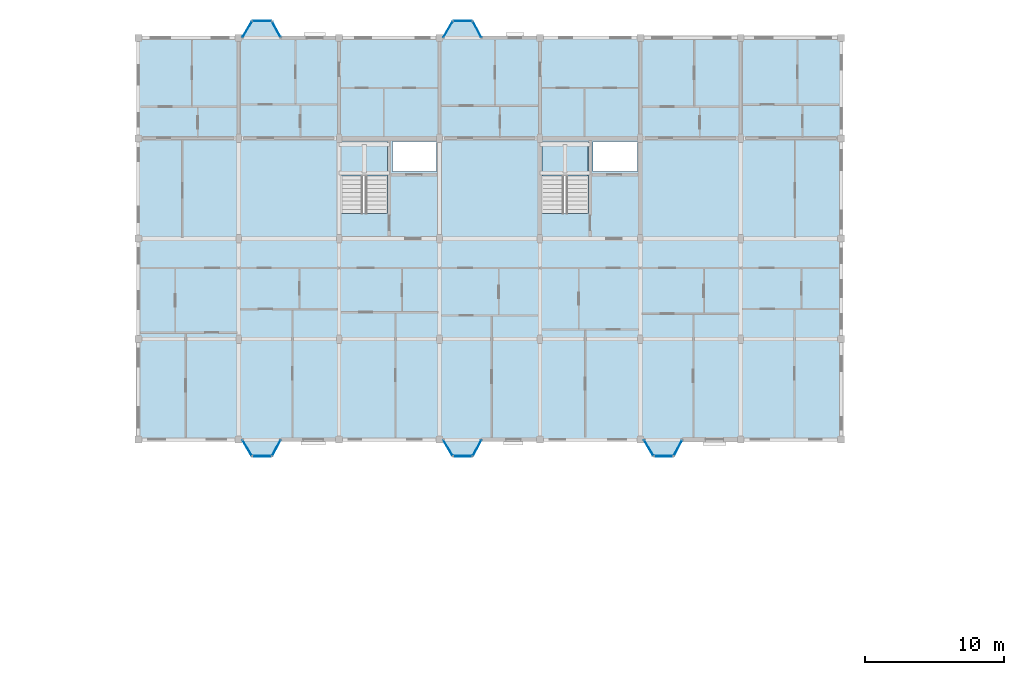
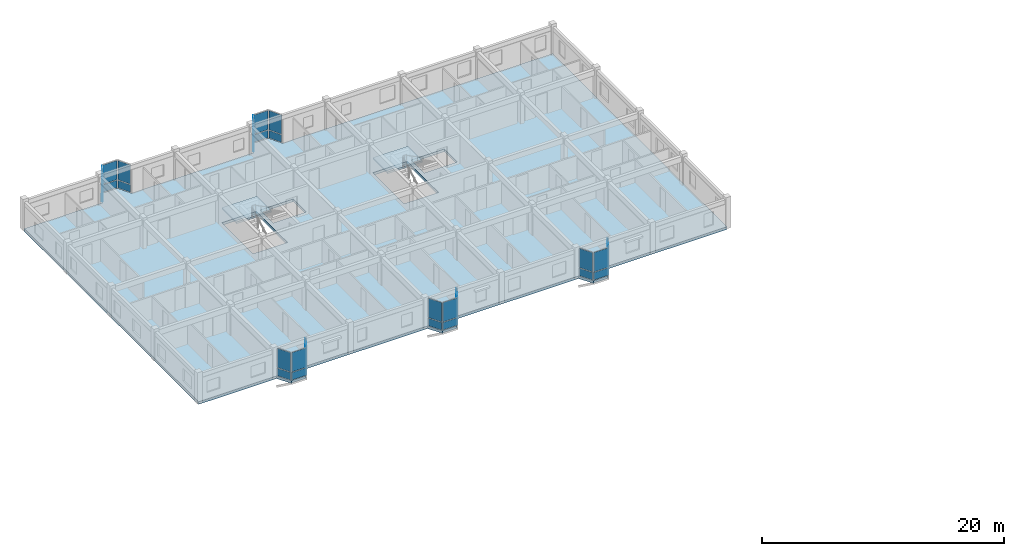
# One storey, part 43 of 65: 30 plates, 3 slabs, 17 elements without a shape of their own.
"""IFC4 building model written with IfcOpenShell, lengths in metres."""

import ifcopenshell
import ifcopenshell.guid

model = None  # the IFC model being written
_history = None  # IfcOwnerHistory: only IFC2X3 demands one
_inside = {}  # id of a spatial element -> (the spatial element, [elements in it])
_under = {}  # id of a project, library or spatial element -> (it, [spatial elements below it])
_declared = {}  # id of a project -> (the project, [libraries it declares])
_typed = {}  # id of a type object -> (the type object, [elements of that type])
_made_of = {}  # id of a material, layer set ... -> (it, [elements and type objects made of it])


def new_model(schema):
    """Start an empty IFC model of exactly this schema.

    Asked for "IFC4X3", IfcOpenShell would pick the latest addendum, in which some entities
    have other attributes; the version numbers below select the first issue.
    IFC2X3 requires an IfcOwnerHistory on every rooted entity: one is made here for all.
    """
    global model, _history
    if schema == "IFC4X3":
        model = ifcopenshell.file(schema_version=(4, 3, 0, 0))
    else:
        model = ifcopenshell.file(schema=schema)
    _inside.clear()
    _under.clear()
    _declared.clear()
    _typed.clear()
    _made_of.clear()
    _history = None
    if model.schema == "IFC2X3":
        org = make("IfcOrganization", Name="unknown")
        user = make(
            "IfcPersonAndOrganization",
            ThePerson=make("IfcPerson", FamilyName="unknown"),
            TheOrganization=org,
        )
        app = make(
            "IfcApplication",
            ApplicationDeveloper=org,
            Version="unknown",
            ApplicationFullName="unknown",
            ApplicationIdentifier="unknown",
        )
        _history = make(
            "IfcOwnerHistory",
            OwningUser=user,
            OwningApplication=app,
            ChangeAction="ADDED",
            CreationDate=0,
        )
    return model


def make(cls, **values):
    """One entity of the class cls with the attributes given. An attribute that is None is left unset."""
    return model.create_entity(
        cls, **{name: value for name, value in values.items() if value is not None}
    )


def rooted(cls, **values):
    """An entity with a GlobalId (a new one), such as an element, a storey or a relation."""
    return make(cls, GlobalId=ifcopenshell.guid.new(), OwnerHistory=_history, **values)


def si_unit(unit_type, name, prefix=None):
    """IfcSIUnit, for example si_unit("LENGTHUNIT", "METRE", prefix="MILLI")."""
    return make("IfcSIUnit", UnitType=unit_type, Prefix=prefix, Name=name)


def assignment(units):
    """IfcUnitAssignment: the units of a project."""
    return None if units is None else make("IfcUnitAssignment", Units=units)


def point(xyz):
    """IfcCartesianPoint."""
    return None if xyz is None else make("IfcCartesianPoint", Coordinates=xyz)


def direction(xyz):
    """IfcDirection."""
    return None if xyz is None else make("IfcDirection", DirectionRatios=xyz)


def frame(location, z_axis=None, x_axis=None):
    """IfcAxis2Placement3D, a coordinate frame: its origin and axes. An axis left out is left unset."""
    return make(
        "IfcAxis2Placement3D",
        Location=point(location),
        Axis=direction(z_axis),
        RefDirection=direction(x_axis),
    )


def frame_2d(location, x_axis=None):
    """IfcAxis2Placement2D, a coordinate frame in the plane: its origin and x axis."""
    return make(
        "IfcAxis2Placement2D", Location=point(location), RefDirection=direction(x_axis)
    )


def origin():
    """The frame at (0, 0, 0) with its axes left unset."""
    return frame((0.0, 0.0, 0.0))


def origin_2d():
    """The frame at (0, 0) in the plane with its x axis left unset."""
    return frame_2d((0.0, 0.0))


def place(relative_to, where):
    """IfcLocalPlacement: puts the frame where relative to a parent placement (None: the world)."""
    return make(
        "IfcLocalPlacement", PlacementRelTo=relative_to, RelativePlacement=where
    )


def context(
    kind, dimensions, precision=None, world=None, true_north=None, identifier=None
):
    """IfcGeometricRepresentationContext, for example the 3D "Model" context."""
    return make(
        "IfcGeometricRepresentationContext",
        ContextIdentifier=identifier,
        ContextType=kind,
        CoordinateSpaceDimension=dimensions,
        Precision=precision,
        WorldCoordinateSystem=world,
        TrueNorth=true_north,
    )


def subcontext(parent, identifier, kind, view, scale=None):
    """IfcGeometricRepresentationSubContext, for example "Body" below "Model"."""
    return make(
        "IfcGeometricRepresentationSubContext",
        ContextIdentifier=identifier,
        ContextType=kind,
        ParentContext=parent,
        TargetScale=scale,
        TargetView=view,
    )


def project(units=None, contexts=None):
    """IfcProject with its units and contexts."""
    return rooted(
        "IfcProject",
        Name="project",
        RepresentationContexts=contexts,
        UnitsInContext=assignment(units),
    )


def spatial(cls, under=None, at=None, **own):
    """A site, building, storey or space (cls), placed at a placement, below another one or the project."""
    s = rooted(cls, ObjectPlacement=at, **own)
    if under is not None:
        _under.setdefault(under.id(), (under, []))[1].append(s)
    return s


def polyline(points):
    """IfcPolyline through the points."""
    return make("IfcPolyline", Points=[point(p) for p in points])


def profile(cls, at=None, kind="AREA", **sizes):
    """A parametric profile (cls). Its sizes go by their IFC names, for example OverallWidth=200.0."""
    return make(cls, ProfileType=kind, Position=at, **sizes)


def rectangle(**sizes):
    """IfcRectangleProfileDef."""
    return profile("IfcRectangleProfileDef", **sizes)


def outline(outer, holes=None, kind="AREA"):
    """IfcArbitraryClosedProfileDef: a profile drawn as a closed curve; with holes, ...WithVoids."""
    if holes is None:
        return make("IfcArbitraryClosedProfileDef", ProfileType=kind, OuterCurve=outer)
    return make(
        "IfcArbitraryProfileDefWithVoids",
        ProfileType=kind,
        OuterCurve=outer,
        InnerCurves=holes,
    )


def extrude(swept, where, along, depth):
    """IfcExtrudedAreaSolid: the profile swept, set in the frame where, extruded along a direction by depth."""
    return make(
        "IfcExtrudedAreaSolid",
        SweptArea=swept,
        Position=where,
        ExtrudedDirection=direction(along),
        Depth=depth,
    )


def shape(context_of_items, identifier, shape_type, items):
    """IfcShapeRepresentation: the items that make up one representation, for example the "Body"."""
    return make(
        "IfcShapeRepresentation",
        ContextOfItems=context_of_items,
        RepresentationIdentifier=identifier,
        RepresentationType=shape_type,
        Items=items,
    )


def material(Name=None, Category=None):
    """IfcMaterial."""
    return make("IfcMaterial", Name=Name, Category=Category)


def layer(
    of_material, thickness, ventilated=None, Name=None, Category=None, Priority=None
):
    """IfcMaterialLayer: one layer of a wall or slab, of a material (None: an air gap)."""
    return make(
        "IfcMaterialLayer",
        Material=of_material,
        LayerThickness=thickness,
        IsVentilated=ventilated,
        Name=Name,
        Category=Category,
        Priority=Priority,
    )


def layer_set(layers, Name=None):
    """IfcMaterialLayerSet."""
    return make("IfcMaterialLayerSet", MaterialLayers=layers, LayerSetName=Name)


def made_of(thing, what):
    """Note that an element or type object is made of a material, layer set ...; save() writes the relation."""
    if what is not None:
        _made_of.setdefault(what.id(), (what, []))[1].append(thing)
    return thing


def type_object(cls, material=None, **own):
    """A type object (cls), such as IfcWallType, which elements share."""
    return made_of(rooted(cls, **own), material)


def element(
    cls,
    number,
    at=None,
    inside=None,
    cuts=None,
    type_object=None,
    material=None,
    context=None,
    identifier="Body",
    shape_type=None,
    held_by="IfcProductDefinitionShape",
    body=None,
    shapes=None,
    **own,
):
    """One element of the class cls, such as IfcWall. Its Tag is "e" and its number.

    at: its placement. inside: the storey or other place that contains it. cuts: it is an
    opening in that element (IfcRelVoidsElement). A single representation is given by context,
    identifier, shape_type and body (its items); several are given by shapes. held_by: the class
    of the entity that holds the representations. save() writes the other relations.
    """
    e = rooted(cls, Tag="e%d" % number, ObjectPlacement=at, **own)
    if body is not None:
        shapes = [shape(context, identifier, shape_type, body)]
    if shapes is not None:
        e.Representation = make(held_by, Representations=shapes)
    if inside is not None:
        _inside.setdefault(inside.id(), (inside, []))[1].append(e)
    if cuts is not None:
        rooted(
            "IfcRelVoidsElement", RelatingBuildingElement=cuts, RelatedOpeningElement=e
        )
    if type_object is not None:
        _typed.setdefault(type_object.id(), (type_object, []))[1].append(e)
    return made_of(e, material)


def aggregate(whole, parts):
    """IfcRelAggregates: a whole, such as a stair, and the parts it consists of."""
    return rooted("IfcRelAggregates", RelatingObject=whole, RelatedObjects=parts)


def save(model, path):
    """Write the relations noted so far, then the file.

    IfcRelAggregates (storeys below a building ...), IfcRelContainedInSpatialStructure (elements
    in a storey), IfcRelDefinesByType, IfcRelAssociatesMaterial and IfcRelDeclares: one each for
    every whole, place, type object, material and project.
    """
    for whole, parts in _under.values():
        aggregate(whole, parts)
    for where, things in _inside.values():
        rooted(
            "IfcRelContainedInSpatialStructure",
            RelatedElements=things,
            RelatingStructure=where,
        )
    for kind, things in _typed.values():
        rooted("IfcRelDefinesByType", RelatedObjects=things, RelatingType=kind)
    for what, things in _made_of.values():
        rooted("IfcRelAssociatesMaterial", RelatedObjects=things, RelatingMaterial=what)
    for by, libraries in _declared.values():
        rooted("IfcRelDeclares", RelatingContext=by, RelatedDefinitions=libraries)
    model.write(path)


model = new_model("IFC4")

# Units and contexts
model_context = context("Model", 3, precision=1e-05, world=origin(), true_north=direction((0.0, 1.0)))
body_context = subcontext(model_context, "Body", "Model", "MODEL_VIEW")
ifc_project = project(units=[si_unit("LENGTHUNIT", "METRE"), si_unit("AREAUNIT", "SQUARE_METRE"), si_unit("VOLUMEUNIT", "CUBIC_METRE"), si_unit("PLANEANGLEUNIT", "RADIAN"), si_unit("MASSUNIT", "GRAM", prefix="KILO"), si_unit("THERMODYNAMICTEMPERATUREUNIT", "KELVIN"), si_unit("POWERUNIT", "WATT")], contexts=[model_context])

# Site, building, storey
site_placement = place(None, origin())
site = spatial("IfcSite", under=ifc_project, at=site_placement, CompositionType="ELEMENT")
building_placement = place(site_placement, origin())
building = spatial("IfcBuilding", under=site, at=building_placement, Name="Tavuni Mirador Residences", CompositionType="ELEMENT")
storey_placement = place(building_placement, frame((0.0, 0.0, 29.699951171875)))
storey = spatial("IfcBuildingStorey", under=building, at=storey_placement, Name="L09", CompositionType="ELEMENT", Elevation=29.699951171875)

# Curtain wall, plate
ifc_material_1 = material(Name="Anodised aluminium", Category="aluminium")
ifc_layer_1 = layer(ifc_material_1, 0.1650390625, Name="Anodised aluminium", Category="aluminium")
ifc_layer_set_1 = layer_set([ifc_layer_1], Name="Anodised aluminium")
curtain_wall_type_1 = type_object("IfcCurtainWallType", Name="CWT-MIR-A", PredefinedType="NOTDEFINED", material=ifc_layer_set_1)
curtain_wall_1_placement = place(storey_placement, origin())
curtain_wall_1 = element("IfcCurtainWall", 1, at=curtain_wall_1_placement, inside=storey, type_object=curtain_wall_type_1, Name="CW-MIR-C-S2-L09-M1", PredefinedType="NOTDEFINED")
ifc_material_2 = material(Name="Laminated solar-control glass", Category="glass")
ifc_layer_2 = layer(ifc_material_2, 0.02392578125, Name="Laminated solar-control glass", Category="glass")
ifc_layer_set_2 = layer_set([ifc_layer_2], Name="Laminated solar-control glass")
plate_type_1 = type_object("IfcPlateType", Name="CWP-GL24", PredefinedType="CURTAIN_PANEL", material=ifc_layer_set_2)
plate_1_placement = place(storey_placement, frame((33.0048828125, 143.39990234375, 0.8798828125), z_axis=(0.0, 0.0, 1.0), x_axis=(0.509212491254, -0.860640830284, 0.0)))
plate_1 = element("IfcPlate", 2, at=plate_1_placement, type_object=plate_type_1, Name="CW-01 panel 1.2", PredefinedType="CURTAIN_PANEL", context=body_context, shape_type="SweptSolid", body=[
    extrude(rectangle(XDim=1.2744140625, YDim=0.02392578125, at=origin_2d()), origin(), (0.0, 0.0, 1.0), 1.945068359375),
])

curtain_wall_2_placement = place(storey_placement, origin())
curtain_wall_2 = element("IfcCurtainWall", 3, at=curtain_wall_2_placement, inside=storey, type_object=curtain_wall_type_1, Name="CW-MIR-C-S3-L09-MF", PredefinedType="NOTDEFINED")
plate_2_placement = place(storey_placement, frame((48.469970703125, 142.800048828125, 0.8798828125), z_axis=(0.0, 0.0, 1.0), x_axis=(1.0, 0.0, 0.0)))
plate_2 = element("IfcPlate", 4, at=plate_2_placement, type_object=plate_type_1, Name="CW-01 panel 1.2", PredefinedType="CURTAIN_PANEL", context=body_context, shape_type="SweptSolid", body=[
    extrude(rectangle(XDim=1.300048828125, YDim=0.02392578125, at=origin_2d()), origin(), (0.0, 0.0, 1.0), 1.945068359375),
])

curtain_wall_3_placement = place(storey_placement, origin())
curtain_wall_3 = element("IfcCurtainWall", 5, at=curtain_wall_3_placement, inside=storey, type_object=curtain_wall_type_1, Name="CW-MIR-C-N2-L09-M2", PredefinedType="NOTDEFINED")
plate_3_placement = place(storey_placement, frame((33.0048828125, 173.39990234375, 0.8798828125), z_axis=(0.0, 0.0, 1.0), x_axis=(-0.509212491254, -0.860640830284, 0.0)))
plate_3 = element("IfcPlate", 6, at=plate_3_placement, type_object=plate_type_1, Name="CW-01 panel 1.2", PredefinedType="CURTAIN_PANEL", context=body_context, shape_type="SweptSolid", body=[
    extrude(rectangle(XDim=1.2744140625, YDim=0.02392578125, at=origin_2d()), origin(), (0.0, 0.0, 1.0), 1.945068359375),
])

ifc_layer_3 = layer(ifc_material_1, 0.14990234375, Name="Anodised aluminium", Category="aluminium")
ifc_layer_set_3 = layer_set([ifc_layer_3], Name="Anodised aluminium")
curtain_wall_type_2 = type_object("IfcCurtainWallType", Name="CWT-MIR-B", PredefinedType="NOTDEFINED", material=ifc_layer_set_3)
curtain_wall_4_placement = place(storey_placement, origin())
curtain_wall_4 = element("IfcCurtainWall", 7, at=curtain_wall_4_placement, inside=storey, type_object=curtain_wall_type_2, Name="CW-MIR-C-S1-L09-M1", PredefinedType="NOTDEFINED")
ifc_layer_4 = layer(ifc_material_2, 0.028076171875, Name="Laminated solar-control glass", Category="glass")
ifc_layer_set_4 = layer_set([ifc_layer_4], Name="Laminated solar-control glass")
plate_type_2 = type_object("IfcPlateType", Name="CWP-GL28", PredefinedType="CURTAIN_PANEL", material=ifc_layer_set_4)
plate_4_placement = place(storey_placement, frame((18.60498046875, 143.39990234375, 0.882568359375), z_axis=(0.0, 0.0, 1.0), x_axis=(0.509212491254, -0.860640830284, 0.0)))
plate_4 = element("IfcPlate", 8, at=plate_4_placement, type_object=plate_type_2, Name="CW-02 panel 1.2", PredefinedType="CURTAIN_PANEL", context=body_context, shape_type="SweptSolid", body=[
    extrude(rectangle(XDim=1.264404296875, YDim=0.028076171875, at=origin_2d()), origin(), (0.0, 0.0, 1.0), 1.9375),
])

curtain_wall_5_placement = place(storey_placement, origin())
curtain_wall_5 = element("IfcCurtainWall", 9, at=curtain_wall_5_placement, inside=storey, type_object=curtain_wall_type_2, Name="CW-MIR-C-S2-L09-MF", PredefinedType="NOTDEFINED")
plate_5_placement = place(storey_placement, frame((34.070068359375, 142.800048828125, 0.882568359375), z_axis=(0.0, 0.0, 1.0), x_axis=(1.0, 0.0, 0.0)))
plate_5 = element("IfcPlate", 10, at=plate_5_placement, type_object=plate_type_2, Name="CW-02 panel 1.2", PredefinedType="CURTAIN_PANEL", context=body_context, shape_type="SweptSolid", body=[
    extrude(rectangle(XDim=1.2900390625, YDim=0.028076171875, at=origin_2d()), origin(), (0.0, 0.0, 1.0), 1.9375),
])

curtain_wall_6_placement = place(storey_placement, origin())
curtain_wall_6 = element("IfcCurtainWall", 11, at=curtain_wall_6_placement, inside=storey, type_object=curtain_wall_type_2, Name="CW-MIR-C-S3-L09-M2", PredefinedType="NOTDEFINED")
plate_6_placement = place(storey_placement, frame((49.5, 143.39990234375, 0.882568359375), z_axis=(0.0, 0.0, 1.0), x_axis=(0.470588235296, 0.882352941175, 0.0)))
plate_6 = element("IfcPlate", 12, at=plate_6_placement, type_object=plate_type_2, Name="CW-02 panel 1.2", PredefinedType="CURTAIN_PANEL", context=body_context, shape_type="SweptSolid", body=[
    extrude(rectangle(XDim=1.22998046875, YDim=0.028076171875, at=origin_2d()), origin(), (0.0, 0.0, 1.0), 1.9375),
])

curtain_wall_7_placement = place(storey_placement, origin())
curtain_wall_7 = element("IfcCurtainWall", 13, at=curtain_wall_7_placement, inside=storey, type_object=curtain_wall_type_2, Name="CW-MIR-C-N1-L09-M1", PredefinedType="NOTDEFINED")
plate_7_placement = place(storey_placement, frame((20.699951171875, 173.39990234375, 0.882568359375), z_axis=(0.0, 0.0, 1.0), x_axis=(-0.470588235296, 0.882352941175, 0.0)))
plate_7 = element("IfcPlate", 14, at=plate_7_placement, type_object=plate_type_2, Name="CW-02 panel 1.2", PredefinedType="CURTAIN_PANEL", context=body_context, shape_type="SweptSolid", body=[
    extrude(rectangle(XDim=1.22998046875, YDim=0.028076171875, at=origin_2d()), origin(), (0.0, 0.0, 1.0), 1.9375),
])

ifc_layer_5 = layer(ifc_material_1, 0.175048828125, Name="Anodised aluminium", Category="aluminium")
ifc_layer_set_5 = layer_set([ifc_layer_5], Name="Anodised aluminium")
curtain_wall_type_3 = type_object("IfcCurtainWallType", Name="CWT-MIR-C", PredefinedType="NOTDEFINED", material=ifc_layer_set_5)
curtain_wall_8_placement = place(storey_placement, origin())
curtain_wall_8 = element("IfcCurtainWall", 15, at=curtain_wall_8_placement, inside=storey, type_object=curtain_wall_type_3, Name="CW-MIR-C-S1-L09-MF", PredefinedType="NOTDEFINED")
ifc_layer_6 = layer(ifc_material_2, 0.031982421875, Name="Laminated solar-control glass", Category="glass")
ifc_layer_set_6 = layer_set([ifc_layer_6], Name="Laminated solar-control glass")
plate_type_3 = type_object("IfcPlateType", Name="CWP-GL32", PredefinedType="CURTAIN_PANEL", material=ifc_layer_set_6)
plate_8_placement = place(storey_placement, frame((19.669921875, 142.800048828125, 0.8798828125), z_axis=(0.0, 0.0, 1.0), x_axis=(1.0, 0.0, 0.0)))
plate_8 = element("IfcPlate", 16, at=plate_8_placement, type_object=plate_type_3, Name="CW-03 panel 1.2", PredefinedType="CURTAIN_PANEL", context=body_context, shape_type="SweptSolid", body=[
    extrude(rectangle(XDim=1.300048828125, YDim=0.031982421875, at=origin_2d()), origin(), (0.0, 0.0, 1.0), 1.945068359375),
])

curtain_wall_9_placement = place(storey_placement, origin())
curtain_wall_9 = element("IfcCurtainWall", 17, at=curtain_wall_9_placement, inside=storey, type_object=curtain_wall_type_3, Name="CW-MIR-C-S2-L09-M2", PredefinedType="NOTDEFINED")
plate_9_placement = place(storey_placement, frame((35.10009765625, 143.39990234375, 0.8798828125), z_axis=(0.0, 0.0, 1.0), x_axis=(0.470588235296, 0.882352941175, 0.0)))
plate_9 = element("IfcPlate", 18, at=plate_9_placement, type_object=plate_type_3, Name="CW-03 panel 1.2", PredefinedType="CURTAIN_PANEL", context=body_context, shape_type="SweptSolid", body=[
    extrude(rectangle(XDim=1.239990234375, YDim=0.031982421875, at=origin_2d()), origin(), (0.0, 0.0, 1.0), 1.945068359375),
])

curtain_wall_10_placement = place(storey_placement, origin())
curtain_wall_10 = element("IfcCurtainWall", 19, at=curtain_wall_10_placement, inside=storey, type_object=curtain_wall_type_3, Name="CW-MIR-C-N2-L09-M1", PredefinedType="NOTDEFINED")
plate_10_placement = place(storey_placement, frame((35.10009765625, 173.39990234375, 0.8798828125), z_axis=(0.0, 0.0, 1.0), x_axis=(-0.470588235296, 0.882352941175, 0.0)))
plate_10 = element("IfcPlate", 20, at=plate_10_placement, type_object=plate_type_3, Name="CW-03 panel 1.2", PredefinedType="CURTAIN_PANEL", context=body_context, shape_type="SweptSolid", body=[
    extrude(rectangle(XDim=1.239990234375, YDim=0.031982421875, at=origin_2d()), origin(), (0.0, 0.0, 1.0), 1.945068359375),
])

curtain_wall_11_placement = place(storey_placement, origin())
curtain_wall_11 = element("IfcCurtainWall", 21, at=curtain_wall_11_placement, inside=storey, type_object=curtain_wall_type_3, Name="CW-MIR-C-N1-L09-MF", PredefinedType="NOTDEFINED")
plate_11_placement = place(storey_placement, frame((19.669921875, 174.0, 0.8798828125), z_axis=(0.0, 0.0, 1.0), x_axis=(-1.0, 0.0, 0.0)))
plate_11 = element("IfcPlate", 22, at=plate_11_placement, type_object=plate_type_3, Name="CW-03 panel 1.2", PredefinedType="CURTAIN_PANEL", context=body_context, shape_type="SweptSolid", body=[
    extrude(rectangle(XDim=1.300048828125, YDim=0.031982421875, at=origin_2d()), origin(), (0.0, 0.0, 1.0), 1.945068359375),
])

ifc_layer_7 = layer(ifc_material_1, 0.159912109375, Name="Anodised aluminium", Category="aluminium")
ifc_layer_set_7 = layer_set([ifc_layer_7], Name="Anodised aluminium")
curtain_wall_type_4 = type_object("IfcCurtainWallType", Name="CWT-MIR-D", PredefinedType="NOTDEFINED", material=ifc_layer_set_7)
curtain_wall_12_placement = place(storey_placement, origin())
curtain_wall_12 = element("IfcCurtainWall", 23, at=curtain_wall_12_placement, inside=storey, type_object=curtain_wall_type_4, Name="CW-MIR-C-S1-L09-M2", PredefinedType="NOTDEFINED")
ifc_layer_8 = layer(ifc_material_2, 0.035888671875, Name="Laminated solar-control glass", Category="glass")
ifc_layer_set_8 = layer_set([ifc_layer_8], Name="Laminated solar-control glass")
plate_type_4 = type_object("IfcPlateType", Name="CWP-GL36", PredefinedType="CURTAIN_PANEL", material=ifc_layer_set_8)
plate_12_placement = place(storey_placement, frame((20.699951171875, 143.39990234375, 0.882568359375), z_axis=(0.0, 0.0, 1.0), x_axis=(0.470588235296, 0.882352941175, 0.0)))
plate_12 = element("IfcPlate", 24, at=plate_12_placement, type_object=plate_type_4, Name="CW-04 panel 1.2", PredefinedType="CURTAIN_PANEL", context=body_context, shape_type="SweptSolid", body=[
    extrude(rectangle(XDim=1.22998046875, YDim=0.035888671875, at=origin_2d()), origin(), (0.0, 0.0, 1.0), 1.9375),
])

curtain_wall_13_placement = place(storey_placement, origin())
curtain_wall_13 = element("IfcCurtainWall", 25, at=curtain_wall_13_placement, inside=storey, type_object=curtain_wall_type_4, Name="CW-MIR-C-S3-L09-M1", PredefinedType="NOTDEFINED")
plate_13_placement = place(storey_placement, frame((47.405029296875, 143.39990234375, 0.882568359375), z_axis=(0.0, 0.0, 1.0), x_axis=(0.509212491254, -0.860640830284, 0.0)))
plate_13 = element("IfcPlate", 26, at=plate_13_placement, type_object=plate_type_4, Name="CW-04 panel 1.2", PredefinedType="CURTAIN_PANEL", context=body_context, shape_type="SweptSolid", body=[
    extrude(rectangle(XDim=1.264404296875, YDim=0.035888671875, at=origin_2d()), origin(), (0.0, 0.0, 1.0), 1.9375),
])

curtain_wall_14_placement = place(storey_placement, origin())
curtain_wall_14 = element("IfcCurtainWall", 27, at=curtain_wall_14_placement, inside=storey, type_object=curtain_wall_type_4, Name="CW-MIR-C-N2-L09-MF", PredefinedType="NOTDEFINED")
plate_14_placement = place(storey_placement, frame((34.070068359375, 174.0, 0.882568359375), z_axis=(0.0, 0.0, 1.0), x_axis=(-1.0, 0.0, 0.0)))
plate_14 = element("IfcPlate", 28, at=plate_14_placement, type_object=plate_type_4, Name="CW-04 panel 1.2", PredefinedType="CURTAIN_PANEL", context=body_context, shape_type="SweptSolid", body=[
    extrude(rectangle(XDim=1.2900390625, YDim=0.035888671875, at=origin_2d()), origin(), (0.0, 0.0, 1.0), 1.9375),
])

curtain_wall_15_placement = place(storey_placement, origin())
curtain_wall_15 = element("IfcCurtainWall", 29, at=curtain_wall_15_placement, inside=storey, type_object=curtain_wall_type_4, Name="CW-MIR-C-N1-L09-M2", PredefinedType="NOTDEFINED")
plate_15_placement = place(storey_placement, frame((18.60498046875, 173.39990234375, 0.882568359375), z_axis=(0.0, 0.0, 1.0), x_axis=(-0.509212491254, -0.860640830284, 0.0)))
plate_15 = element("IfcPlate", 30, at=plate_15_placement, type_object=plate_type_4, Name="CW-04 panel 1.2", PredefinedType="CURTAIN_PANEL", context=body_context, shape_type="SweptSolid", body=[
    extrude(rectangle(XDim=1.264404296875, YDim=0.035888671875, at=origin_2d()), origin(), (0.0, 0.0, 1.0), 1.9375),
])

# Plate
ifc_material_3 = material(Name="Ceramic trencadis mosaic panel", Category="masonry")
ifc_layer_9 = layer(ifc_material_3, 0.0419921875, Name="Ceramic trencadis mosaic panel", Category="masonry")
ifc_layer_set_9 = layer_set([ifc_layer_9], Name="Ceramic trencadis mosaic panel")
plate_type_5 = type_object("IfcPlateType", Name="CWP-SP42", PredefinedType="CURTAIN_PANEL", material=ifc_layer_set_9)
plate_16_placement = place(storey_placement, frame((19.669921875, 142.800048828125, 0.06005859375), z_axis=(0.0, 0.0, 1.0), x_axis=(1.0, 0.0, 0.0)))
plate_16 = element("IfcPlate", 31, at=plate_16_placement, type_object=plate_type_5, Name="CW-03 panel 1.1", PredefinedType="CURTAIN_PANEL", context=body_context, shape_type="SweptSolid", body=[
    extrude(rectangle(XDim=1.300048828125, YDim=0.0419921875, at=origin_2d()), origin(), (0.0, 0.0, 1.0), 0.760009765625),
])

aggregate(curtain_wall_8, [plate_16, plate_8])

plate_17_placement = place(storey_placement, frame((33.0048828125, 143.39990234375, 0.06005859375), z_axis=(0.0, 0.0, 1.0), x_axis=(0.509212491254, -0.860640830284, 0.0)))
plate_17 = element("IfcPlate", 32, at=plate_17_placement, type_object=plate_type_5, Name="CW-01 panel 1.1", PredefinedType="CURTAIN_PANEL", context=body_context, shape_type="SweptSolid", body=[
    extrude(rectangle(XDim=1.2744140625, YDim=0.0419921875, at=origin_2d()), origin(), (0.0, 0.0, 1.0), 0.760009765625),
])

aggregate(curtain_wall_1, [plate_17, plate_1])

plate_18_placement = place(storey_placement, frame((35.10009765625, 143.39990234375, 0.06005859375), z_axis=(0.0, 0.0, 1.0), x_axis=(0.470588235296, 0.882352941175, 0.0)))
plate_18 = element("IfcPlate", 33, at=plate_18_placement, type_object=plate_type_5, Name="CW-03 panel 1.1", PredefinedType="CURTAIN_PANEL", context=body_context, shape_type="SweptSolid", body=[
    extrude(rectangle(XDim=1.239990234375, YDim=0.0419921875, at=origin_2d()), origin(), (0.0, 0.0, 1.0), 0.760009765625),
])

aggregate(curtain_wall_9, [plate_18, plate_9])

plate_19_placement = place(storey_placement, frame((48.469970703125, 142.800048828125, 0.06005859375), z_axis=(0.0, 0.0, 1.0), x_axis=(1.0, 0.0, 0.0)))
plate_19 = element("IfcPlate", 34, at=plate_19_placement, type_object=plate_type_5, Name="CW-01 panel 1.1", PredefinedType="CURTAIN_PANEL", context=body_context, shape_type="SweptSolid", body=[
    extrude(rectangle(XDim=1.300048828125, YDim=0.0419921875, at=origin_2d()), origin(), (0.0, 0.0, 1.0), 0.760009765625),
])

aggregate(curtain_wall_2, [plate_19, plate_2])

plate_20_placement = place(storey_placement, frame((35.10009765625, 173.39990234375, 0.06005859375), z_axis=(0.0, 0.0, 1.0), x_axis=(-0.470588235296, 0.882352941175, 0.0)))
plate_20 = element("IfcPlate", 35, at=plate_20_placement, type_object=plate_type_5, Name="CW-03 panel 1.1", PredefinedType="CURTAIN_PANEL", context=body_context, shape_type="SweptSolid", body=[
    extrude(rectangle(XDim=1.239990234375, YDim=0.0419921875, at=origin_2d()), origin(), (0.0, 0.0, 1.0), 0.760009765625),
])

aggregate(curtain_wall_10, [plate_20, plate_10])

plate_21_placement = place(storey_placement, frame((33.0048828125, 173.39990234375, 0.06005859375), z_axis=(0.0, 0.0, 1.0), x_axis=(-0.509212491254, -0.860640830284, 0.0)))
plate_21 = element("IfcPlate", 36, at=plate_21_placement, type_object=plate_type_5, Name="CW-01 panel 1.1", PredefinedType="CURTAIN_PANEL", context=body_context, shape_type="SweptSolid", body=[
    extrude(rectangle(XDim=1.2744140625, YDim=0.0419921875, at=origin_2d()), origin(), (0.0, 0.0, 1.0), 0.760009765625),
])

aggregate(curtain_wall_3, [plate_21, plate_3])

plate_22_placement = place(storey_placement, frame((19.669921875, 174.0, 0.06005859375), z_axis=(0.0, 0.0, 1.0), x_axis=(-1.0, 0.0, 0.0)))
plate_22 = element("IfcPlate", 37, at=plate_22_placement, type_object=plate_type_5, Name="CW-03 panel 1.1", PredefinedType="CURTAIN_PANEL", context=body_context, shape_type="SweptSolid", body=[
    extrude(rectangle(XDim=1.300048828125, YDim=0.0419921875, at=origin_2d()), origin(), (0.0, 0.0, 1.0), 0.760009765625),
])

aggregate(curtain_wall_11, [plate_22, plate_11])

ifc_layer_10 = layer(ifc_material_3, 0.048095703125, Name="Ceramic trencadis mosaic panel", Category="masonry")
ifc_layer_set_10 = layer_set([ifc_layer_10], Name="Ceramic trencadis mosaic panel")
plate_type_6 = type_object("IfcPlateType", Name="CWP-SP48", PredefinedType="CURTAIN_PANEL", material=ifc_layer_set_10)
plate_23_placement = place(storey_placement, frame((18.60498046875, 143.39990234375, 0.065185546875), z_axis=(0.0, 0.0, 1.0), x_axis=(0.509212491254, -0.860640830284, 0.0)))
plate_23 = element("IfcPlate", 38, at=plate_23_placement, type_object=plate_type_6, Name="CW-02 panel 1.1", PredefinedType="CURTAIN_PANEL", context=body_context, shape_type="SweptSolid", body=[
    extrude(rectangle(XDim=1.264404296875, YDim=0.048095703125, at=origin_2d()), origin(), (0.0, 0.0, 1.0), 0.75244140625),
])

aggregate(curtain_wall_4, [plate_23, plate_4])

plate_24_placement = place(storey_placement, frame((20.699951171875, 143.39990234375, 0.065185546875), z_axis=(0.0, 0.0, 1.0), x_axis=(0.470588235296, 0.882352941175, 0.0)))
plate_24 = element("IfcPlate", 39, at=plate_24_placement, type_object=plate_type_6, Name="CW-04 panel 1.1", PredefinedType="CURTAIN_PANEL", context=body_context, shape_type="SweptSolid", body=[
    extrude(rectangle(XDim=1.22998046875, YDim=0.048095703125, at=origin_2d()), origin(), (0.0, 0.0, 1.0), 0.75244140625),
])

aggregate(curtain_wall_12, [plate_24, plate_12])

plate_25_placement = place(storey_placement, frame((34.070068359375, 142.800048828125, 0.065185546875), z_axis=(0.0, 0.0, 1.0), x_axis=(1.0, 0.0, 0.0)))
plate_25 = element("IfcPlate", 40, at=plate_25_placement, type_object=plate_type_6, Name="CW-02 panel 1.1", PredefinedType="CURTAIN_PANEL", context=body_context, shape_type="SweptSolid", body=[
    extrude(rectangle(XDim=1.2900390625, YDim=0.048095703125, at=origin_2d()), origin(), (0.0, 0.0, 1.0), 0.75244140625),
])

aggregate(curtain_wall_5, [plate_25, plate_5])

plate_26_placement = place(storey_placement, frame((47.405029296875, 143.39990234375, 0.065185546875), z_axis=(0.0, 0.0, 1.0), x_axis=(0.509212491254, -0.860640830284, 0.0)))
plate_26 = element("IfcPlate", 41, at=plate_26_placement, type_object=plate_type_6, Name="CW-04 panel 1.1", PredefinedType="CURTAIN_PANEL", context=body_context, shape_type="SweptSolid", body=[
    extrude(rectangle(XDim=1.264404296875, YDim=0.048095703125, at=origin_2d()), origin(), (0.0, 0.0, 1.0), 0.75244140625),
])

aggregate(curtain_wall_13, [plate_26, plate_13])

plate_27_placement = place(storey_placement, frame((49.5, 143.39990234375, 0.065185546875), z_axis=(0.0, 0.0, 1.0), x_axis=(0.470588235296, 0.882352941175, 0.0)))
plate_27 = element("IfcPlate", 42, at=plate_27_placement, type_object=plate_type_6, Name="CW-02 panel 1.1", PredefinedType="CURTAIN_PANEL", context=body_context, shape_type="SweptSolid", body=[
    extrude(rectangle(XDim=1.22998046875, YDim=0.048095703125, at=origin_2d()), origin(), (0.0, 0.0, 1.0), 0.75244140625),
])

aggregate(curtain_wall_6, [plate_27, plate_6])

plate_28_placement = place(storey_placement, frame((34.070068359375, 174.0, 0.065185546875), z_axis=(0.0, 0.0, 1.0), x_axis=(-1.0, 0.0, 0.0)))
plate_28 = element("IfcPlate", 43, at=plate_28_placement, type_object=plate_type_6, Name="CW-04 panel 1.1", PredefinedType="CURTAIN_PANEL", context=body_context, shape_type="SweptSolid", body=[
    extrude(rectangle(XDim=1.2900390625, YDim=0.048095703125, at=origin_2d()), origin(), (0.0, 0.0, 1.0), 0.75244140625),
])

aggregate(curtain_wall_14, [plate_28, plate_14])

plate_29_placement = place(storey_placement, frame((20.699951171875, 173.39990234375, 0.065185546875), z_axis=(0.0, 0.0, 1.0), x_axis=(-0.470588235296, 0.882352941175, 0.0)))
plate_29 = element("IfcPlate", 44, at=plate_29_placement, type_object=plate_type_6, Name="CW-02 panel 1.1", PredefinedType="CURTAIN_PANEL", context=body_context, shape_type="SweptSolid", body=[
    extrude(rectangle(XDim=1.22998046875, YDim=0.048095703125, at=origin_2d()), origin(), (0.0, 0.0, 1.0), 0.75244140625),
])

aggregate(curtain_wall_7, [plate_29, plate_7])

plate_30_placement = place(storey_placement, frame((18.60498046875, 173.39990234375, 0.065185546875), z_axis=(0.0, 0.0, 1.0), x_axis=(-0.509212491254, -0.860640830284, 0.0)))
plate_30 = element("IfcPlate", 45, at=plate_30_placement, type_object=plate_type_6, Name="CW-04 panel 1.1", PredefinedType="CURTAIN_PANEL", context=body_context, shape_type="SweptSolid", body=[
    extrude(rectangle(XDim=1.264404296875, YDim=0.048095703125, at=origin_2d()), origin(), (0.0, 0.0, 1.0), 0.75244140625),
])

aggregate(curtain_wall_15, [plate_30, plate_15])

# Slab
ifc_material_4 = material(Name="Prestressed concrete C45/55", Category="concrete")
ifc_layer_11 = layer(ifc_material_4, 0.264892578125, Name="Prestressed concrete C45/55", Category="concrete")
ifc_layer_set_11 = layer_set([ifc_layer_11], Name="Prestressed concrete C45/55")
slab_type_1 = type_object("IfcSlabType", Name="SLT-FLR265", PredefinedType="FLOOR", material=ifc_layer_set_11)
slab_1_placement = place(storey_placement, frame((0.0, 0.0, -0.264892578125)))
element("IfcSlab", 46, at=slab_1_placement, inside=storey, type_object=slab_type_1, Name="SLB-BLK-C-L09", PredefinedType="FLOOR", context=body_context, shape_type="SweptSolid", body=[
    extrude(outline(polyline([(10.800048828125, 144.0), (18.25, 144.0), (18.9599609375, 142.800048828125), (20.3798828125, 142.800048828125), (21.02001953125, 144.0), (32.64990234375, 144.0), (33.360107421875, 142.800048828125), (34.780029296875, 142.800048828125), (35.419921875, 144.0), (47.050048828125, 144.0), (47.760009765625, 142.800048828125), (49.179931640625, 142.800048828125), (49.820068359375, 144.0), (61.199951171875, 144.0), (61.199951171875, 172.800048828125), (35.419921875, 172.800048828125), (34.780029296875, 174.0), (33.360107421875, 174.0), (32.64990234375, 172.800048828125), (21.02001953125, 172.800048828125), (20.3798828125, 174.0), (18.9599609375, 174.0), (18.25, 172.800048828125), (10.800048828125, 172.800048828125), (10.800048828125, 144.0)]), holes=[polyline([(25.360107421875, 160.2080078125), (28.639892578125, 160.2080078125), (28.639892578125, 165.360107421875), (25.360107421875, 165.360107421875), (25.360107421875, 160.2080078125)]), polyline([(29.02001953125, 163.219970703125), (32.179931640625, 163.219970703125), (32.179931640625, 165.3798828125), (29.02001953125, 165.3798828125), (29.02001953125, 163.219970703125)]), polyline([(39.760009765625, 160.2080078125), (43.0400390625, 160.2080078125), (43.0400390625, 165.360107421875), (39.760009765625, 165.360107421875), (39.760009765625, 160.2080078125)]), polyline([(43.419921875, 163.219970703125), (46.580078125, 163.219970703125), (46.580078125, 165.3798828125), (43.419921875, 165.3798828125), (43.419921875, 163.219970703125)])]), origin(), (0.0, 0.0, 1.0), 0.264892578125),
])

# Stair, slab
ifc_material_5 = material(Name="Precast concrete C40/50", Category="concrete")
stair_type = type_object("IfcStairType", Name="STT-TYP", PredefinedType="HALF_TURN_STAIR", material=ifc_material_5)
stair_1_placement = place(storey_placement, origin())
stair_1 = element("IfcStair", 47, at=stair_1_placement, inside=storey, type_object=stair_type, Name="Protected exit stair ST5 (L09)", PredefinedType="HALF_TURN_STAIR")
ifc_layer_12 = layer(ifc_material_5, 0.179931640625, Name="Precast concrete C40/50", Category="concrete")
ifc_layer_set_12 = layer_set([ifc_layer_12], Name="Precast concrete C40/50")
slab_type_2 = type_object("IfcSlabType", Name="SLT-LND180", PredefinedType="LANDING", material=ifc_layer_set_12)
slab_2_placement = place(storey_placement, frame((0.0, 0.0, 1.39501953125)))
slab_2 = element("IfcSlab", 48, at=slab_2_placement, type_object=slab_type_2, Name="ST5 landing 1", PredefinedType="LANDING", context=body_context, shape_type="SweptSolid", body=[
    extrude(outline(polyline([(25.340087890625, 162.89208984375), (28.659912109375, 162.89208984375), (28.659912109375, 165.300048828125), (25.340087890625, 165.300048828125), (25.340087890625, 162.89208984375)])), origin(), (0.0, 0.0, 1.0), 0.179931640625),
])
aggregate(stair_1, [slab_2])

stair_2_placement = place(storey_placement, origin())
stair_2 = element("IfcStair", 49, at=stair_2_placement, inside=storey, type_object=stair_type, Name="Protected exit stair ST6 (L09)", PredefinedType="HALF_TURN_STAIR")
slab_3_placement = place(storey_placement, frame((0.0, 0.0, 1.39501953125)))
slab_3 = element("IfcSlab", 50, at=slab_3_placement, type_object=slab_type_2, Name="ST6 landing 1", PredefinedType="LANDING", context=body_context, shape_type="SweptSolid", body=[
    extrude(outline(polyline([(39.739990234375, 162.89208984375), (43.06005859375, 162.89208984375), (43.06005859375, 165.300048828125), (39.739990234375, 165.300048828125), (39.739990234375, 162.89208984375)])), origin(), (0.0, 0.0, 1.0), 0.179931640625),
])
aggregate(stair_2, [slab_3])

save(model, "model.ifc")
